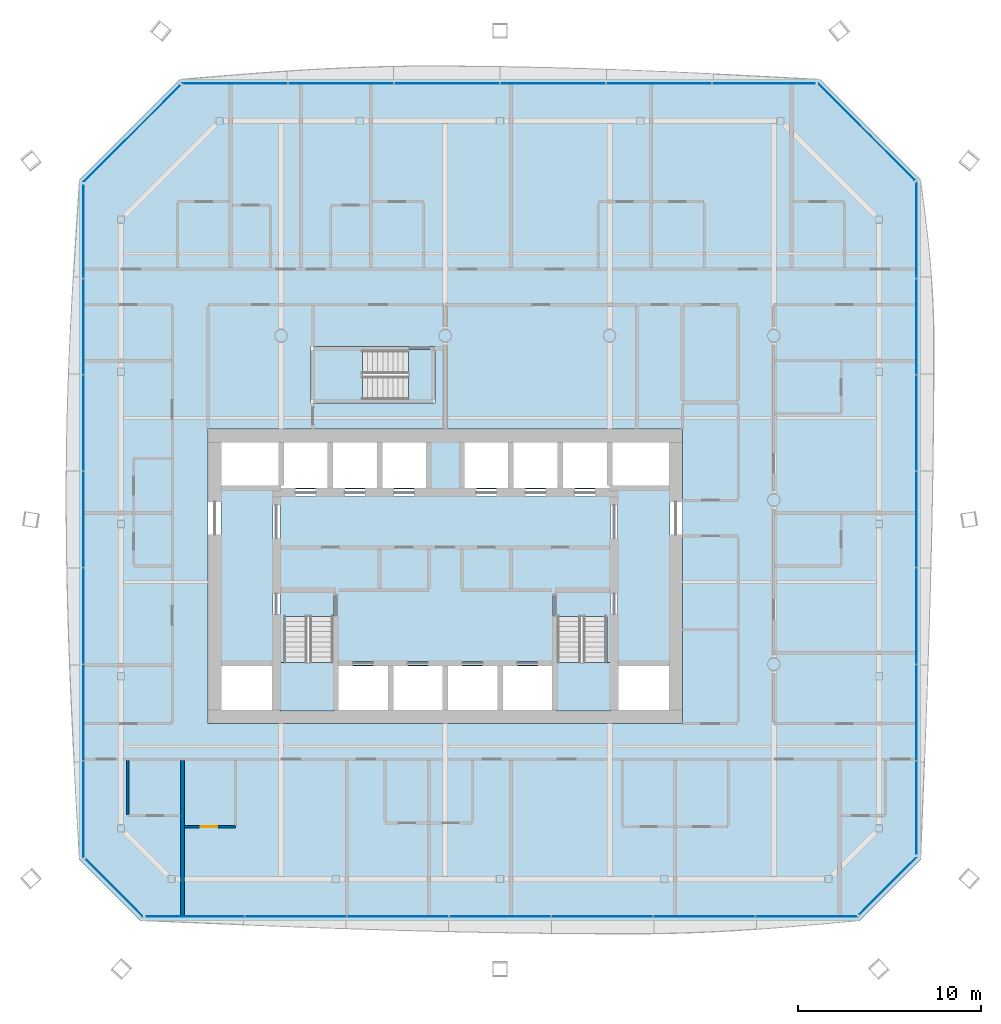
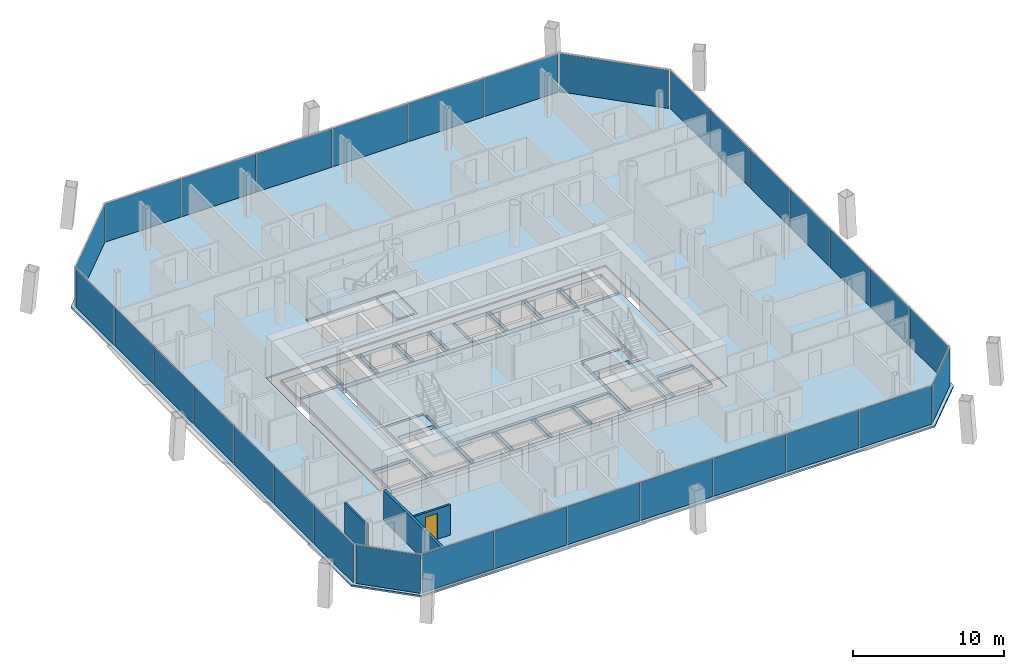
# One storey, part 11 of 21: 31 plates, 6 slabs, 3 walls, 1 door, 1 opening, 11 elements without a shape of their own.
"""IFC4 building model written with IfcOpenShell, lengths in metres."""

import ifcopenshell
import ifcopenshell.guid

model = None  # the IFC model being written
_history = None  # IfcOwnerHistory: only IFC2X3 demands one
_inside = {}  # id of a spatial element -> (the spatial element, [elements in it])
_under = {}  # id of a project, library or spatial element -> (it, [spatial elements below it])
_declared = {}  # id of a project -> (the project, [libraries it declares])
_typed = {}  # id of a type object -> (the type object, [elements of that type])
_made_of = {}  # id of a material, layer set ... -> (it, [elements and type objects made of it])


def new_model(schema):
    """Start an empty IFC model of exactly this schema.

    Asked for "IFC4X3", IfcOpenShell would pick the latest addendum, in which some entities
    have other attributes; the version numbers below select the first issue.
    IFC2X3 requires an IfcOwnerHistory on every rooted entity: one is made here for all.
    """
    global model, _history
    if schema == "IFC4X3":
        model = ifcopenshell.file(schema_version=(4, 3, 0, 0))
    else:
        model = ifcopenshell.file(schema=schema)
    _inside.clear()
    _under.clear()
    _declared.clear()
    _typed.clear()
    _made_of.clear()
    _history = None
    if model.schema == "IFC2X3":
        org = make("IfcOrganization", Name="unknown")
        user = make(
            "IfcPersonAndOrganization",
            ThePerson=make("IfcPerson", FamilyName="unknown"),
            TheOrganization=org,
        )
        app = make(
            "IfcApplication",
            ApplicationDeveloper=org,
            Version="unknown",
            ApplicationFullName="unknown",
            ApplicationIdentifier="unknown",
        )
        _history = make(
            "IfcOwnerHistory",
            OwningUser=user,
            OwningApplication=app,
            ChangeAction="ADDED",
            CreationDate=0,
        )
    return model


def make(cls, **values):
    """One entity of the class cls with the attributes given. An attribute that is None is left unset."""
    return model.create_entity(
        cls, **{name: value for name, value in values.items() if value is not None}
    )


def rooted(cls, **values):
    """An entity with a GlobalId (a new one), such as an element, a storey or a relation."""
    return make(cls, GlobalId=ifcopenshell.guid.new(), OwnerHistory=_history, **values)


def si_unit(unit_type, name, prefix=None):
    """IfcSIUnit, for example si_unit("LENGTHUNIT", "METRE", prefix="MILLI")."""
    return make("IfcSIUnit", UnitType=unit_type, Prefix=prefix, Name=name)


def assignment(units):
    """IfcUnitAssignment: the units of a project."""
    return None if units is None else make("IfcUnitAssignment", Units=units)


def point(xyz):
    """IfcCartesianPoint."""
    return None if xyz is None else make("IfcCartesianPoint", Coordinates=xyz)


def direction(xyz):
    """IfcDirection."""
    return None if xyz is None else make("IfcDirection", DirectionRatios=xyz)


def frame(location, z_axis=None, x_axis=None):
    """IfcAxis2Placement3D, a coordinate frame: its origin and axes. An axis left out is left unset."""
    return make(
        "IfcAxis2Placement3D",
        Location=point(location),
        Axis=direction(z_axis),
        RefDirection=direction(x_axis),
    )


def frame_2d(location, x_axis=None):
    """IfcAxis2Placement2D, a coordinate frame in the plane: its origin and x axis."""
    return make(
        "IfcAxis2Placement2D", Location=point(location), RefDirection=direction(x_axis)
    )


def origin():
    """The frame at (0, 0, 0) with its axes left unset."""
    return frame((0.0, 0.0, 0.0))


def origin_2d():
    """The frame at (0, 0) in the plane with its x axis left unset."""
    return frame_2d((0.0, 0.0))


def place(relative_to, where):
    """IfcLocalPlacement: puts the frame where relative to a parent placement (None: the world)."""
    return make(
        "IfcLocalPlacement", PlacementRelTo=relative_to, RelativePlacement=where
    )


def context(
    kind, dimensions, precision=None, world=None, true_north=None, identifier=None
):
    """IfcGeometricRepresentationContext, for example the 3D "Model" context."""
    return make(
        "IfcGeometricRepresentationContext",
        ContextIdentifier=identifier,
        ContextType=kind,
        CoordinateSpaceDimension=dimensions,
        Precision=precision,
        WorldCoordinateSystem=world,
        TrueNorth=true_north,
    )


def subcontext(parent, identifier, kind, view, scale=None):
    """IfcGeometricRepresentationSubContext, for example "Body" below "Model"."""
    return make(
        "IfcGeometricRepresentationSubContext",
        ContextIdentifier=identifier,
        ContextType=kind,
        ParentContext=parent,
        TargetScale=scale,
        TargetView=view,
    )


def project(units=None, contexts=None):
    """IfcProject with its units and contexts."""
    return rooted(
        "IfcProject",
        Name="project",
        RepresentationContexts=contexts,
        UnitsInContext=assignment(units),
    )


def spatial(cls, under=None, at=None, **own):
    """A site, building, storey or space (cls), placed at a placement, below another one or the project."""
    s = rooted(cls, ObjectPlacement=at, **own)
    if under is not None:
        _under.setdefault(under.id(), (under, []))[1].append(s)
    return s


def polyline(points):
    """IfcPolyline through the points."""
    return make("IfcPolyline", Points=[point(p) for p in points])


def profile(cls, at=None, kind="AREA", **sizes):
    """A parametric profile (cls). Its sizes go by their IFC names, for example OverallWidth=200.0."""
    return make(cls, ProfileType=kind, Position=at, **sizes)


def rectangle(**sizes):
    """IfcRectangleProfileDef."""
    return profile("IfcRectangleProfileDef", **sizes)


def outline(outer, holes=None, kind="AREA"):
    """IfcArbitraryClosedProfileDef: a profile drawn as a closed curve; with holes, ...WithVoids."""
    if holes is None:
        return make("IfcArbitraryClosedProfileDef", ProfileType=kind, OuterCurve=outer)
    return make(
        "IfcArbitraryProfileDefWithVoids",
        ProfileType=kind,
        OuterCurve=outer,
        InnerCurves=holes,
    )


def extrude(swept, where, along, depth):
    """IfcExtrudedAreaSolid: the profile swept, set in the frame where, extruded along a direction by depth."""
    return make(
        "IfcExtrudedAreaSolid",
        SweptArea=swept,
        Position=where,
        ExtrudedDirection=direction(along),
        Depth=depth,
    )


def shape(context_of_items, identifier, shape_type, items):
    """IfcShapeRepresentation: the items that make up one representation, for example the "Body"."""
    return make(
        "IfcShapeRepresentation",
        ContextOfItems=context_of_items,
        RepresentationIdentifier=identifier,
        RepresentationType=shape_type,
        Items=items,
    )


def material(Name=None, Category=None):
    """IfcMaterial."""
    return make("IfcMaterial", Name=Name, Category=Category)


def layer(
    of_material, thickness, ventilated=None, Name=None, Category=None, Priority=None
):
    """IfcMaterialLayer: one layer of a wall or slab, of a material (None: an air gap)."""
    return make(
        "IfcMaterialLayer",
        Material=of_material,
        LayerThickness=thickness,
        IsVentilated=ventilated,
        Name=Name,
        Category=Category,
        Priority=Priority,
    )


def layer_set(layers, Name=None):
    """IfcMaterialLayerSet."""
    return make("IfcMaterialLayerSet", MaterialLayers=layers, LayerSetName=Name)


def made_of(thing, what):
    """Note that an element or type object is made of a material, layer set ...; save() writes the relation."""
    if what is not None:
        _made_of.setdefault(what.id(), (what, []))[1].append(thing)
    return thing


def type_object(cls, material=None, **own):
    """A type object (cls), such as IfcWallType, which elements share."""
    return made_of(rooted(cls, **own), material)


def element(
    cls,
    number,
    at=None,
    inside=None,
    cuts=None,
    type_object=None,
    material=None,
    context=None,
    identifier="Body",
    shape_type=None,
    held_by="IfcProductDefinitionShape",
    body=None,
    shapes=None,
    **own,
):
    """One element of the class cls, such as IfcWall. Its Tag is "e" and its number.

    at: its placement. inside: the storey or other place that contains it. cuts: it is an
    opening in that element (IfcRelVoidsElement). A single representation is given by context,
    identifier, shape_type and body (its items); several are given by shapes. held_by: the class
    of the entity that holds the representations. save() writes the other relations.
    """
    e = rooted(cls, Tag="e%d" % number, ObjectPlacement=at, **own)
    if body is not None:
        shapes = [shape(context, identifier, shape_type, body)]
    if shapes is not None:
        e.Representation = make(held_by, Representations=shapes)
    if inside is not None:
        _inside.setdefault(inside.id(), (inside, []))[1].append(e)
    if cuts is not None:
        rooted(
            "IfcRelVoidsElement", RelatingBuildingElement=cuts, RelatedOpeningElement=e
        )
    if type_object is not None:
        _typed.setdefault(type_object.id(), (type_object, []))[1].append(e)
    return made_of(e, material)


def fill(opening, filler):
    """IfcRelFillsElement: the door or window that sits in an opening."""
    return rooted(
        "IfcRelFillsElement",
        RelatingOpeningElement=opening,
        RelatedBuildingElement=filler,
    )


def aggregate(whole, parts):
    """IfcRelAggregates: a whole, such as a stair, and the parts it consists of."""
    return rooted("IfcRelAggregates", RelatingObject=whole, RelatedObjects=parts)


def save(model, path):
    """Write the relations noted so far, then the file.

    IfcRelAggregates (storeys below a building ...), IfcRelContainedInSpatialStructure (elements
    in a storey), IfcRelDefinesByType, IfcRelAssociatesMaterial and IfcRelDeclares: one each for
    every whole, place, type object, material and project.
    """
    for whole, parts in _under.values():
        aggregate(whole, parts)
    for where, things in _inside.values():
        rooted(
            "IfcRelContainedInSpatialStructure",
            RelatedElements=things,
            RelatingStructure=where,
        )
    for kind, things in _typed.values():
        rooted("IfcRelDefinesByType", RelatedObjects=things, RelatingType=kind)
    for what, things in _made_of.values():
        rooted("IfcRelAssociatesMaterial", RelatedObjects=things, RelatingMaterial=what)
    for by, libraries in _declared.values():
        rooted("IfcRelDeclares", RelatingContext=by, RelatedDefinitions=libraries)
    model.write(path)


model = new_model("IFC4")

# Units and contexts
model_context = context("Model", 3, precision=1e-05, world=origin(), true_north=direction((0.0, 1.0)))
body_context = subcontext(model_context, "Body", "Model", "MODEL_VIEW")
ifc_project = project(units=[si_unit("LENGTHUNIT", "METRE"), si_unit("AREAUNIT", "SQUARE_METRE"), si_unit("VOLUMEUNIT", "CUBIC_METRE"), si_unit("PLANEANGLEUNIT", "RADIAN"), si_unit("MASSUNIT", "GRAM", prefix="KILO")], contexts=[model_context])

# Site, building, storey
site_placement = place(None, origin())
site = spatial("IfcSite", under=ifc_project, at=site_placement, CompositionType="ELEMENT")
building_placement = place(site_placement, origin())
building = spatial("IfcBuilding", under=site, at=building_placement, Name="Tskaro Facet Tower", CompositionType="ELEMENT")
storey_placement = place(building_placement, frame((0.0, 0.0, 135.10009765625)))
storey = spatial("IfcBuildingStorey", under=building, at=storey_placement, Name="L32", CompositionType="ELEMENT", Elevation=135.10009765625)

# Slab
ifc_material_1 = material(Name="Concrete C30/37", Category="concrete")
ifc_layer_1 = layer(ifc_material_1, 0.139892578125, Name="Concrete C30/37")
ifc_layer_set_1 = layer_set([ifc_layer_1], Name="Concrete C30/37")
slab_type_1 = type_object("IfcSlabType", Name="Composite deck floor slab", PredefinedType="FLOOR", material=ifc_layer_set_1)
slab_1_placement = place(storey_placement, frame((0.0, 0.0, -0.14013671875)))
element("IfcSlab", 1, at=slab_1_placement, inside=storey, type_object=slab_type_1, Name="Floor slab FS3 L32", PredefinedType="FLOOR", context=body_context, shape_type="SweptSolid", body=[
    extrude(outline(polyline([(-16.677978515625, -23.070068359375), (22.677978515625, -23.070068359375), (26.070068359375, -19.677978515625), (26.070068359375, 17.52587890625), (20.52587890625, 23.070068359375), (-14.52587890625, 23.070068359375), (-20.070068359375, 17.52587890625), (-20.070068359375, -19.677978515625), (-16.677978515625, -23.070068359375)]), holes=[polyline([(-13.0, -12.25), (13.0, -12.25), (13.0, 3.89990234375), (-13.0, 3.89990234375), (-13.0, -12.25)]), polyline([(-7.35009765625, 5.300048828125), (-0.550048828125, 5.300048828125), (-0.550048828125, 8.39990234375), (-7.35009765625, 8.39990234375), (-7.35009765625, 5.300048828125)])]), origin(), (0.0, 0.0, 1.0), 0.14013671875),
])

# Curtain wall, plates
ifc_material_2 = material(Name="Bronze anodised aluminium 6063-T6", Category="aluminium")
curtain_wall_type = type_object("IfcCurtainWallType", Name="Bronze hotel curtain wall (FW2)", PredefinedType="NOTDEFINED", material=ifc_material_2)
curtain_wall_1_placement = place(storey_placement, origin())
curtain_wall_1 = element("IfcCurtainWall", 2, at=curtain_wall_1_placement, inside=storey, type_object=curtain_wall_type, Name="FW2 south facet L32", PredefinedType="NOTDEFINED")
ifc_material_3 = material(Name="Bronze solar control glass", Category="glass")
ifc_layer_2 = layer(ifc_material_3, 0.030029296875, Name="Bronze solar control glass")
ifc_layer_set_2 = layer_set([ifc_layer_2], Name="Bronze solar control glass")
plate_type = type_object("IfcPlateType", Name="FW2 bronze-tinted unit glazing 30", PredefinedType="CURTAIN_PANEL", material=ifc_layer_set_2)
plate_1_placement = place(storey_placement, frame((-13.7177734375, -22.820068359375, -0.000244140625), z_axis=(0.0, 0.0, 1.0), x_axis=(1.0, 0.0, 0.0)))
plate_1 = element("IfcPlate", 3, at=plate_1_placement, type_object=plate_type, Name="FW2 south glazing 1.1", PredefinedType="CURTAIN_PANEL", context=body_context, shape_type="SweptSolid", body=[
    extrude(rectangle(XDim=5.41259765625, YDim=0.030029296875, at=origin_2d()), origin(), (0.0, 0.0, 1.0), 3.10009765625),
])
plate_2_placement = place(storey_placement, frame((-8.18505859375, -22.820068359375, -0.000244140625), z_axis=(0.0, 0.0, 1.0), x_axis=(1.0, 0.0, 0.0)))
plate_2 = element("IfcPlate", 4, at=plate_2_placement, type_object=plate_type, Name="FW2 south glazing 2.1", PredefinedType="CURTAIN_PANEL", context=body_context, shape_type="SweptSolid", body=[
    extrude(rectangle(XDim=5.532470703125, YDim=0.030029296875, at=origin_2d()), origin(), (0.0, 0.0, 1.0), 3.10009765625),
])
plate_3_placement = place(storey_placement, frame((-2.592529296875, -22.820068359375, -0.000244140625), z_axis=(0.0, 0.0, 1.0), x_axis=(1.0, 0.0, 0.0)))
plate_3 = element("IfcPlate", 5, at=plate_3_placement, type_object=plate_type, Name="FW2 south glazing 3.1", PredefinedType="CURTAIN_PANEL", context=body_context, shape_type="SweptSolid", body=[
    extrude(rectangle(XDim=5.532470703125, YDim=0.030029296875, at=origin_2d()), origin(), (0.0, 0.0, 1.0), 3.10009765625),
])
plate_4_placement = place(storey_placement, frame((3.0, -22.820068359375, -0.000244140625), z_axis=(0.0, 0.0, 1.0), x_axis=(1.0, 0.0, 0.0)))
plate_4 = element("IfcPlate", 6, at=plate_4_placement, type_object=plate_type, Name="FW2 south glazing 4.1", PredefinedType="CURTAIN_PANEL", context=body_context, shape_type="SweptSolid", body=[
    extrude(rectangle(XDim=5.532470703125, YDim=0.030029296875, at=origin_2d()), origin(), (0.0, 0.0, 1.0), 3.10009765625),
])
plate_5_placement = place(storey_placement, frame((8.592529296875, -22.820068359375, -0.000244140625), z_axis=(0.0, 0.0, 1.0), x_axis=(1.0, 0.0, 0.0)))
plate_5 = element("IfcPlate", 7, at=plate_5_placement, type_object=plate_type, Name="FW2 south glazing 5.1", PredefinedType="CURTAIN_PANEL", context=body_context, shape_type="SweptSolid", body=[
    extrude(rectangle(XDim=5.532470703125, YDim=0.030029296875, at=origin_2d()), origin(), (0.0, 0.0, 1.0), 3.10009765625),
])
plate_6_placement = place(storey_placement, frame((14.18505859375, -22.820068359375, -0.000244140625), z_axis=(0.0, 0.0, 1.0), x_axis=(1.0, 0.0, 0.0)))
plate_6 = element("IfcPlate", 8, at=plate_6_placement, type_object=plate_type, Name="FW2 south glazing 6.1", PredefinedType="CURTAIN_PANEL", context=body_context, shape_type="SweptSolid", body=[
    extrude(rectangle(XDim=5.532470703125, YDim=0.030029296875, at=origin_2d()), origin(), (0.0, 0.0, 1.0), 3.10009765625),
])
plate_7_placement = place(storey_placement, frame((19.792724609375, -22.820068359375, -0.000244140625), z_axis=(0.0, 0.0, 1.0), x_axis=(1.0, 0.0, 0.0)))
plate_7 = element("IfcPlate", 9, at=plate_7_placement, type_object=plate_type, Name="FW2 south glazing 7.1", PredefinedType="CURTAIN_PANEL", context=body_context, shape_type="SweptSolid", body=[
    extrude(rectangle(XDim=5.5625, YDim=0.030029296875, at=origin_2d()), origin(), (0.0, 0.0, 1.0), 3.10009765625),
])
aggregate(curtain_wall_1, [plate_1, plate_2, plate_3, plate_4, plate_5, plate_6, plate_7])

# Curtain wall, plate
curtain_wall_2_placement = place(storey_placement, origin())
curtain_wall_2 = element("IfcCurtainWall", 10, at=curtain_wall_2_placement, inside=storey, type_object=curtain_wall_type, Name="FW2 south-east facet L32", PredefinedType="NOTDEFINED")
plate_8_placement = place(storey_placement, frame((24.25, -21.14404296875, -0.000244140625), z_axis=(0.0, 0.0, 1.0), x_axis=(0.707106781187, 0.707106781187, 0.0)))
plate_8 = element("IfcPlate", 11, at=plate_8_placement, type_object=plate_type, Name="FW2 south-east glazing 1.1", PredefinedType="CURTAIN_PANEL", context=body_context, shape_type="SweptSolid", body=[
    extrude(rectangle(XDim=4.4404296875, YDim=0.030029296875, at=origin_2d()), origin(), (0.0, 0.0, 1.0), 3.10009765625),
])
aggregate(curtain_wall_2, [plate_8])

# Curtain wall, plates
curtain_wall_3_placement = place(storey_placement, origin())
curtain_wall_3 = element("IfcCurtainWall", 12, at=curtain_wall_3_placement, inside=storey, type_object=curtain_wall_type, Name="FW2 east facet L32", PredefinedType="NOTDEFINED")
plate_9_placement = place(storey_placement, frame((25.820068359375, -16.871337890625, -0.000244140625), z_axis=(0.0, 0.0, 1.0), x_axis=(0.0, 1.0, 0.0)))
plate_9 = element("IfcPlate", 13, at=plate_9_placement, type_object=plate_type, Name="FW2 east glazing 1.1", PredefinedType="CURTAIN_PANEL", context=body_context, shape_type="SweptSolid", body=[
    extrude(rectangle(XDim=5.105224609375, YDim=0.030029296875, at=origin_2d()), origin(), (0.0, 0.0, 1.0), 3.10009765625),
])
plate_10_placement = place(storey_placement, frame((25.820068359375, -11.646240234375, -0.000244140625), z_axis=(0.0, 0.0, 1.0), x_axis=(0.0, 1.0, 0.0)))
plate_10 = element("IfcPlate", 14, at=plate_10_placement, type_object=plate_type, Name="FW2 east glazing 2.1", PredefinedType="CURTAIN_PANEL", context=body_context, shape_type="SweptSolid", body=[
    extrude(rectangle(XDim=5.22509765625, YDim=0.030029296875, at=origin_2d()), origin(), (0.0, 0.0, 1.0), 3.10009765625),
])
plate_11_placement = place(storey_placement, frame((25.820068359375, -6.361083984375, -0.000244140625), z_axis=(0.0, 0.0, 1.0), x_axis=(0.0, 1.0, 0.0)))
plate_11 = element("IfcPlate", 15, at=plate_11_placement, type_object=plate_type, Name="FW2 east glazing 3.1", PredefinedType="CURTAIN_PANEL", context=body_context, shape_type="SweptSolid", body=[
    extrude(rectangle(XDim=5.22509765625, YDim=0.030029296875, at=origin_2d()), origin(), (0.0, 0.0, 1.0), 3.10009765625),
])
plate_12_placement = place(storey_placement, frame((25.820068359375, -1.075927734375, -0.000244140625), z_axis=(0.0, 0.0, 1.0), x_axis=(0.0, 1.0, 0.0)))
plate_12 = element("IfcPlate", 16, at=plate_12_placement, type_object=plate_type, Name="FW2 east glazing 4.1", PredefinedType="CURTAIN_PANEL", context=body_context, shape_type="SweptSolid", body=[
    extrude(rectangle(XDim=5.22509765625, YDim=0.030029296875, at=origin_2d()), origin(), (0.0, 0.0, 1.0), 3.10009765625),
])
plate_13_placement = place(storey_placement, frame((25.820068359375, 4.209228515625, -0.000244140625), z_axis=(0.0, 0.0, 1.0), x_axis=(0.0, 1.0, 0.0)))
plate_13 = element("IfcPlate", 17, at=plate_13_placement, type_object=plate_type, Name="FW2 east glazing 5.1", PredefinedType="CURTAIN_PANEL", context=body_context, shape_type="SweptSolid", body=[
    extrude(rectangle(XDim=5.22509765625, YDim=0.030029296875, at=origin_2d()), origin(), (0.0, 0.0, 1.0), 3.10009765625),
])
plate_14_placement = place(storey_placement, frame((25.820068359375, 9.494384765625, -0.000244140625), z_axis=(0.0, 0.0, 1.0), x_axis=(0.0, 1.0, 0.0)))
plate_14 = element("IfcPlate", 18, at=plate_14_placement, type_object=plate_type, Name="FW2 east glazing 6.1", PredefinedType="CURTAIN_PANEL", context=body_context, shape_type="SweptSolid", body=[
    extrude(rectangle(XDim=5.22509765625, YDim=0.030029296875, at=origin_2d()), origin(), (0.0, 0.0, 1.0), 3.10009765625),
])
plate_15_placement = place(storey_placement, frame((25.820068359375, 14.79443359375, -0.000244140625), z_axis=(0.0, 0.0, 1.0), x_axis=(0.0, 1.0, 0.0)))
plate_15 = element("IfcPlate", 19, at=plate_15_placement, type_object=plate_type, Name="FW2 east glazing 7.1", PredefinedType="CURTAIN_PANEL", context=body_context, shape_type="SweptSolid", body=[
    extrude(rectangle(XDim=5.255126953125, YDim=0.030029296875, at=origin_2d()), origin(), (0.0, 0.0, 1.0), 3.10009765625),
])
aggregate(curtain_wall_3, [plate_9, plate_10, plate_11, plate_12, plate_13, plate_14, plate_15])

# Curtain wall, plate
curtain_wall_4_placement = place(storey_placement, origin())
curtain_wall_4 = element("IfcCurtainWall", 20, at=curtain_wall_4_placement, inside=storey, type_object=curtain_wall_type, Name="FW2 north-east facet L32", PredefinedType="NOTDEFINED")
plate_16_placement = place(storey_placement, frame((23.06787109375, 20.174072265625, -0.000244140625), z_axis=(0.0, 0.0, 1.0), x_axis=(-0.707106781187, 0.707106781187, 0.0)))
plate_16 = element("IfcPlate", 21, at=plate_16_placement, type_object=plate_type, Name="FW2 north-east glazing 1.1", PredefinedType="CURTAIN_PANEL", context=body_context, shape_type="SweptSolid", body=[
    extrude(rectangle(XDim=7.48388671875, YDim=0.030029296875, at=origin_2d()), origin(), (0.0, 0.0, 1.0), 3.10009765625),
])
aggregate(curtain_wall_4, [plate_16])

# Curtain wall, plates
curtain_wall_5_placement = place(storey_placement, origin())
curtain_wall_5 = element("IfcCurtainWall", 22, at=curtain_wall_5_placement, inside=storey, type_object=curtain_wall_type, Name="FW2 north facet L32", PredefinedType="NOTDEFINED")
plate_17_placement = place(storey_placement, frame((17.458251953125, 22.820068359375, -0.000244140625), z_axis=(0.0, 0.0, 1.0), x_axis=(-1.0, 0.0, 0.0)))
plate_17 = element("IfcPlate", 23, at=plate_17_placement, type_object=plate_type, Name="FW2 north glazing 1.1", PredefinedType="CURTAIN_PANEL", context=body_context, shape_type="SweptSolid", body=[
    extrude(rectangle(XDim=5.62744140625, YDim=0.030029296875, at=origin_2d()), origin(), (0.0, 0.0, 1.0), 3.10009765625),
])
plate_18_placement = place(storey_placement, frame((11.7109375, 22.820068359375, -0.000244140625), z_axis=(0.0, 0.0, 1.0), x_axis=(-1.0, 0.0, 0.0)))
plate_18 = element("IfcPlate", 24, at=plate_18_placement, type_object=plate_type, Name="FW2 north glazing 2.1", PredefinedType="CURTAIN_PANEL", context=body_context, shape_type="SweptSolid", body=[
    extrude(rectangle(XDim=5.747314453125, YDim=0.030029296875, at=origin_2d()), origin(), (0.0, 0.0, 1.0), 3.10009765625),
])
plate_19_placement = place(storey_placement, frame((5.903564453125, 22.820068359375, -0.000244140625), z_axis=(0.0, 0.0, 1.0), x_axis=(-1.0, 0.0, 0.0)))
plate_19 = element("IfcPlate", 25, at=plate_19_placement, type_object=plate_type, Name="FW2 north glazing 3.1", PredefinedType="CURTAIN_PANEL", context=body_context, shape_type="SweptSolid", body=[
    extrude(rectangle(XDim=5.747314453125, YDim=0.030029296875, at=origin_2d()), origin(), (0.0, 0.0, 1.0), 3.10009765625),
])
plate_20_placement = place(storey_placement, frame((0.096435546875, 22.820068359375, -0.000244140625), z_axis=(0.0, 0.0, 1.0), x_axis=(-1.0, 0.0, 0.0)))
plate_20 = element("IfcPlate", 26, at=plate_20_placement, type_object=plate_type, Name="FW2 north glazing 4.1", PredefinedType="CURTAIN_PANEL", context=body_context, shape_type="SweptSolid", body=[
    extrude(rectangle(XDim=5.747314453125, YDim=0.030029296875, at=origin_2d()), origin(), (0.0, 0.0, 1.0), 3.10009765625),
])
plate_21_placement = place(storey_placement, frame((-5.7109375, 22.820068359375, -0.000244140625), z_axis=(0.0, 0.0, 1.0), x_axis=(-1.0, 0.0, 0.0)))
plate_21 = element("IfcPlate", 27, at=plate_21_placement, type_object=plate_type, Name="FW2 north glazing 5.1", PredefinedType="CURTAIN_PANEL", context=body_context, shape_type="SweptSolid", body=[
    extrude(rectangle(XDim=5.747314453125, YDim=0.030029296875, at=origin_2d()), origin(), (0.0, 0.0, 1.0), 3.10009765625),
])
plate_22_placement = place(storey_placement, frame((-11.533447265625, 22.820068359375, -0.000244140625), z_axis=(0.0, 0.0, 1.0), x_axis=(-1.0, 0.0, 0.0)))
plate_22 = element("IfcPlate", 28, at=plate_22_placement, type_object=plate_type, Name="FW2 north glazing 6.1", PredefinedType="CURTAIN_PANEL", context=body_context, shape_type="SweptSolid", body=[
    extrude(rectangle(XDim=5.77734375, YDim=0.030029296875, at=origin_2d()), origin(), (0.0, 0.0, 1.0), 3.10009765625),
])
aggregate(curtain_wall_5, [plate_17, plate_18, plate_19, plate_20, plate_21, plate_22])

# Curtain wall, plate
curtain_wall_6_placement = place(storey_placement, origin())
curtain_wall_6 = element("IfcCurtainWall", 29, at=curtain_wall_6_placement, inside=storey, type_object=curtain_wall_type, Name="FW2 north-west facet L32", PredefinedType="NOTDEFINED")
plate_23_placement = place(storey_placement, frame((-17.174072265625, 20.06787109375, -0.000244140625), z_axis=(0.0, 0.0, 1.0), x_axis=(-0.707106781187, -0.707106781187, 0.0)))
plate_23 = element("IfcPlate", 30, at=plate_23_placement, type_object=plate_type, Name="FW2 north-west glazing 1.1", PredefinedType="CURTAIN_PANEL", context=body_context, shape_type="SweptSolid", body=[
    extrude(rectangle(XDim=7.48388671875, YDim=0.030029296875, at=origin_2d()), origin(), (0.0, 0.0, 1.0), 3.10009765625),
])
aggregate(curtain_wall_6, [plate_23])

# Curtain wall, plates
curtain_wall_7_placement = place(storey_placement, origin())
curtain_wall_7 = element("IfcCurtainWall", 31, at=curtain_wall_7_placement, inside=storey, type_object=curtain_wall_type, Name="FW2 west facet L32", PredefinedType="NOTDEFINED")
plate_24_placement = place(storey_placement, frame((-19.820068359375, 14.719482421875, -0.000244140625), z_axis=(0.0, 0.0, 1.0), x_axis=(0.0, -1.0, 0.0)))
plate_24 = element("IfcPlate", 32, at=plate_24_placement, type_object=plate_type, Name="FW2 west glazing 1.1", PredefinedType="CURTAIN_PANEL", context=body_context, shape_type="SweptSolid", body=[
    extrude(rectangle(XDim=5.105224609375, YDim=0.030029296875, at=origin_2d()), origin(), (0.0, 0.0, 1.0), 3.10009765625),
])
plate_25_placement = place(storey_placement, frame((-19.820068359375, 9.494384765625, -0.000244140625), z_axis=(0.0, 0.0, 1.0), x_axis=(0.0, -1.0, 0.0)))
plate_25 = element("IfcPlate", 33, at=plate_25_placement, type_object=plate_type, Name="FW2 west glazing 2.1", PredefinedType="CURTAIN_PANEL", context=body_context, shape_type="SweptSolid", body=[
    extrude(rectangle(XDim=5.22509765625, YDim=0.030029296875, at=origin_2d()), origin(), (0.0, 0.0, 1.0), 3.10009765625),
])
plate_26_placement = place(storey_placement, frame((-19.820068359375, 4.209228515625, -0.000244140625), z_axis=(0.0, 0.0, 1.0), x_axis=(0.0, -1.0, 0.0)))
plate_26 = element("IfcPlate", 34, at=plate_26_placement, type_object=plate_type, Name="FW2 west glazing 3.1", PredefinedType="CURTAIN_PANEL", context=body_context, shape_type="SweptSolid", body=[
    extrude(rectangle(XDim=5.22509765625, YDim=0.030029296875, at=origin_2d()), origin(), (0.0, 0.0, 1.0), 3.10009765625),
])
plate_27_placement = place(storey_placement, frame((-19.820068359375, -1.075927734375, -0.000244140625), z_axis=(0.0, 0.0, 1.0), x_axis=(0.0, -1.0, 0.0)))
plate_27 = element("IfcPlate", 35, at=plate_27_placement, type_object=plate_type, Name="FW2 west glazing 4.1", PredefinedType="CURTAIN_PANEL", context=body_context, shape_type="SweptSolid", body=[
    extrude(rectangle(XDim=5.22509765625, YDim=0.030029296875, at=origin_2d()), origin(), (0.0, 0.0, 1.0), 3.10009765625),
])
plate_28_placement = place(storey_placement, frame((-19.820068359375, -6.361083984375, -0.000244140625), z_axis=(0.0, 0.0, 1.0), x_axis=(0.0, -1.0, 0.0)))
plate_28 = element("IfcPlate", 36, at=plate_28_placement, type_object=plate_type, Name="FW2 west glazing 5.1", PredefinedType="CURTAIN_PANEL", context=body_context, shape_type="SweptSolid", body=[
    extrude(rectangle(XDim=5.22509765625, YDim=0.030029296875, at=origin_2d()), origin(), (0.0, 0.0, 1.0), 3.10009765625),
])
plate_29_placement = place(storey_placement, frame((-19.820068359375, -11.646240234375, -0.000244140625), z_axis=(0.0, 0.0, 1.0), x_axis=(0.0, -1.0, 0.0)))
plate_29 = element("IfcPlate", 37, at=plate_29_placement, type_object=plate_type, Name="FW2 west glazing 6.1", PredefinedType="CURTAIN_PANEL", context=body_context, shape_type="SweptSolid", body=[
    extrude(rectangle(XDim=5.22509765625, YDim=0.030029296875, at=origin_2d()), origin(), (0.0, 0.0, 1.0), 3.10009765625),
])
plate_30_placement = place(storey_placement, frame((-19.820068359375, -16.946533203125, -0.000244140625), z_axis=(0.0, 0.0, 1.0), x_axis=(0.0, -1.0, 0.0)))
plate_30 = element("IfcPlate", 38, at=plate_30_placement, type_object=plate_type, Name="FW2 west glazing 7.1", PredefinedType="CURTAIN_PANEL", context=body_context, shape_type="SweptSolid", body=[
    extrude(rectangle(XDim=5.255126953125, YDim=0.030029296875, at=origin_2d()), origin(), (0.0, 0.0, 1.0), 3.10009765625),
])
aggregate(curtain_wall_7, [plate_24, plate_25, plate_26, plate_27, plate_28, plate_29, plate_30])

# Curtain wall, plate
curtain_wall_8_placement = place(storey_placement, origin())
curtain_wall_8 = element("IfcCurtainWall", 39, at=curtain_wall_8_placement, inside=storey, type_object=curtain_wall_type, Name="FW2 south-west facet L32", PredefinedType="NOTDEFINED")
plate_31_placement = place(storey_placement, frame((-18.14404296875, -21.25, -0.000244140625), z_axis=(0.0, 0.0, 1.0), x_axis=(0.707106781187, -0.707106781187, 0.0)))
plate_31 = element("IfcPlate", 40, at=plate_31_placement, type_object=plate_type, Name="FW2 south-west glazing 1.1", PredefinedType="CURTAIN_PANEL", context=body_context, shape_type="SweptSolid", body=[
    extrude(rectangle(XDim=4.4404296875, YDim=0.030029296875, at=origin_2d()), origin(), (0.0, 0.0, 1.0), 3.10009765625),
])
aggregate(curtain_wall_8, [plate_31])

# Stair, slab
ifc_material_4 = material(Name="Concrete C40/50", Category="concrete")
stair_type = type_object("IfcStairType", Name="ST-TWR", PredefinedType="HALF_TURN_STAIR", material=ifc_material_4)
stair_1_placement = place(storey_placement, origin())
stair_1 = element("IfcStair", 41, at=stair_1_placement, inside=storey, type_object=stair_type, Name="L32 Exit stair 1", PredefinedType="HALF_TURN_STAIR")
ifc_layer_3 = layer(ifc_material_4, 0.199951171875, Name="Concrete C40/50")
ifc_layer_set_3 = layer_set([ifc_layer_3], Name="Concrete C40/50")
slab_type_2 = type_object("IfcSlabType", Name="SL-LANDING", PredefinedType="LANDING", material=ifc_layer_set_3)
slab_2_placement = place(storey_placement, frame((0.0, 0.0, 1.5)))
slab_2 = element("IfcSlab", 42, at=slab_2_placement, type_object=slab_type_2, Name="ST-1 landing 1", PredefinedType="LANDING", context=body_context, shape_type="SweptSolid", body=[
    extrude(outline(polyline([(-9.050048828125, -11.550048828125), (-6.10009765625, -11.550048828125), (-6.10009765625, -8.89501953125), (-9.050048828125, -8.89501953125), (-9.050048828125, -11.550048828125)])), origin(), (0.0, 0.0, 1.0), 0.199951171875),
])
aggregate(stair_1, [slab_2])

stair_2_placement = place(storey_placement, origin())
stair_2 = element("IfcStair", 43, at=stair_2_placement, inside=storey, type_object=stair_type, Name="L32 Exit stair 2", PredefinedType="HALF_TURN_STAIR")
slab_3_placement = place(storey_placement, frame((0.0, 0.0, 1.5)))
slab_3 = element("IfcSlab", 44, at=slab_3_placement, type_object=slab_type_2, Name="ST-2 landing 1", PredefinedType="LANDING", context=body_context, shape_type="SweptSolid", body=[
    extrude(outline(polyline([(6.10009765625, -11.550048828125), (9.050048828125, -11.550048828125), (9.050048828125, -8.89501953125), (6.10009765625, -8.89501953125), (6.10009765625, -11.550048828125)])), origin(), (0.0, 0.0, 1.0), 0.199951171875),
])
aggregate(stair_2, [slab_3])

stair_3_placement = place(storey_placement, origin())
stair_3 = element("IfcStair", 45, at=stair_3_placement, inside=storey, type_object=stair_type, Name="L32 Exit stair 3", PredefinedType="HALF_TURN_STAIR")
slab_4_placement = place(storey_placement, frame((0.0, 0.0, 1.5)))
slab_4 = element("IfcSlab", 46, at=slab_4_placement, type_object=slab_type_2, Name="ST-3 landing 1", PredefinedType="LANDING", context=body_context, shape_type="SweptSolid", body=[
    extrude(outline(polyline([(-7.199951171875, 5.449951171875), (-4.544921875, 5.449951171875), (-4.544921875, 8.25), (-7.199951171875, 8.25), (-7.199951171875, 5.449951171875)])), origin(), (0.0, 0.0, 1.0), 0.199951171875),
])
aggregate(stair_3, [slab_4])

# Slabs
ifc_material_5 = material(Name="Concrete C60/75", Category="concrete")
ifc_layer_4 = layer(ifc_material_5, 0.300048828125, Name="Concrete C60/75")
ifc_layer_set_4 = layer_set([ifc_layer_4], Name="Concrete C60/75")
slab_type_3 = type_object("IfcSlabType", Name="SLAB-CORE", PredefinedType="FLOOR", material=ifc_layer_set_4)
slab_5_placement = place(storey_placement, frame((0.0, 0.0, -0.300048828125)))
element("IfcSlab", 47, at=slab_5_placement, inside=storey, type_object=slab_type_3, Name="Core floor slab 1", PredefinedType="FLOOR", context=body_context, shape_type="SweptSolid", body=[
    extrude(outline(polyline([(-12.300048828125, 3.199951171875), (12.300048828125, 3.199951171875), (12.300048828125, 3.10009765625), (12.300048828125, -11.449951171875), (12.300048828125, -11.550048828125), (-12.300048828125, -11.550048828125), (-12.300048828125, -11.449951171875), (-12.300048828125, 3.10009765625), (-12.300048828125, 3.199951171875)]), holes=[polyline([(-9.5, -9.10009765625), (-12.25, -9.10009765625), (-12.25, -11.5), (-9.5, -11.5), (-9.5, -9.10009765625)]), polyline([(-5.85009765625, -9.10009765625), (-5.85009765625, -11.5), (-3.14990234375, -11.5), (-3.14990234375, -9.10009765625), (-5.85009765625, -9.10009765625)]), polyline([(-12.199951171875, -9.050048828125), (-9.550048828125, -9.050048828125), (-9.550048828125, -8.85009765625), (-12.199951171875, -8.85009765625), (-12.199951171875, -9.050048828125)]), polyline([(-6.10009765625, -5.14990234375), (-6.10009765625, -11.449951171875), (-5.89990234375, -11.449951171875), (-5.89990234375, -5.14990234375), (-6.10009765625, -5.14990234375)]), polyline([(-9.449951171875, 0.10009765625), (-9.449951171875, -11.449951171875), (-9.050048828125, -11.449951171875), (-9.050048828125, 0.10009765625), (-9.449951171875, 0.10009765625)]), polyline([(-8.949951171875, -5.050048828125), (-6.050048828125, -5.050048828125), (-6.050048828125, -4.85009765625), (-8.949951171875, -4.85009765625), (-8.949951171875, -5.050048828125)]), polyline([(9.449951171875, 0.199951171875), (9.449951171875, 0.550048828125), (12.199951171875, 0.550048828125), (12.199951171875, 0.75), (9.050048828125, 0.75), (9.050048828125, 0.60009765625), (-9.050048828125, 0.60009765625), (-9.050048828125, 0.75), (-12.199951171875, 0.75), (-12.199951171875, 0.550048828125), (-9.449951171875, 0.550048828125), (-9.449951171875, 0.199951171875), (9.449951171875, 0.199951171875)]), polyline([(-8.85009765625, 0.800048828125), (-9.0, 0.800048828125), (-9.0, 0.64990234375), (-6.449951171875, 0.64990234375), (-6.449951171875, 3.14990234375), (-8.85009765625, 3.14990234375), (-8.85009765625, 0.800048828125)]), polyline([(-6.14990234375, 0.64990234375), (-3.75, 0.64990234375), (-3.75, 3.14990234375), (-6.14990234375, 3.14990234375), (-6.14990234375, 0.64990234375)]), polyline([(-6.39990234375, 3.10009765625), (-6.39990234375, 0.699951171875), (-6.199951171875, 0.699951171875), (-6.199951171875, 3.10009765625), (-6.39990234375, 3.10009765625)]), polyline([(-9.14990234375, 3.14990234375), (-12.25, 3.14990234375), (-12.25, 0.800048828125), (-9.14990234375, 0.800048828125), (-9.14990234375, 3.14990234375)]), polyline([(-9.10009765625, 0.85009765625), (-8.89990234375, 0.85009765625), (-8.89990234375, 3.10009765625), (-9.10009765625, 3.10009765625), (-9.10009765625, 0.85009765625)]), polyline([(-3.10009765625, -11.449951171875), (-2.89990234375, -11.449951171875), (-2.89990234375, -9.14990234375), (-3.10009765625, -9.14990234375), (-3.10009765625, -11.449951171875)]), polyline([(-0.14990234375, -9.10009765625), (-2.85009765625, -9.10009765625), (-2.85009765625, -11.5), (-0.14990234375, -11.5), (-0.14990234375, -9.10009765625)]), polyline([(-0.10009765625, -9.14990234375), (-0.10009765625, -11.449951171875), (0.10009765625, -11.449951171875), (0.10009765625, -9.14990234375), (-0.10009765625, -9.14990234375)]), polyline([(0.14990234375, -9.10009765625), (0.14990234375, -11.5), (2.85009765625, -11.5), (2.85009765625, -9.10009765625), (0.14990234375, -9.10009765625)]), polyline([(-5.800048828125, -8.85009765625), (-5.800048828125, -9.050048828125), (5.800048828125, -9.050048828125), (5.800048828125, -8.85009765625), (-5.800048828125, -8.85009765625)]), polyline([(-1.050048828125, 0.64990234375), (-1.050048828125, 3.14990234375), (-3.449951171875, 3.14990234375), (-3.449951171875, 0.64990234375), (-1.050048828125, 0.64990234375)]), polyline([(3.449951171875, 0.64990234375), (3.449951171875, 3.14990234375), (1.050048828125, 3.14990234375), (1.050048828125, 0.64990234375), (3.449951171875, 0.64990234375)]), polyline([(-3.699951171875, 0.699951171875), (-3.5, 0.699951171875), (-3.5, 3.10009765625), (-3.699951171875, 3.10009765625), (-3.699951171875, 0.699951171875)]), polyline([(-1.0, 3.10009765625), (-1.0, 0.699951171875), (-0.800048828125, 0.699951171875), (-0.800048828125, 3.10009765625), (-1.0, 3.10009765625)]), polyline([(0.800048828125, 3.10009765625), (0.800048828125, 0.699951171875), (1.0, 0.699951171875), (1.0, 3.10009765625), (0.800048828125, 3.10009765625)]), polyline([(2.89990234375, -11.449951171875), (3.10009765625, -11.449951171875), (3.10009765625, -9.14990234375), (2.89990234375, -9.14990234375), (2.89990234375, -11.449951171875)]), polyline([(5.85009765625, -9.10009765625), (3.14990234375, -9.10009765625), (3.14990234375, -11.5), (5.85009765625, -11.5), (5.85009765625, -9.10009765625)]), polyline([(12.25, -11.5), (12.25, -9.10009765625), (9.5, -9.10009765625), (9.5, -11.5), (12.25, -11.5)]), polyline([(9.550048828125, -9.050048828125), (12.199951171875, -9.050048828125), (12.199951171875, -8.85009765625), (9.550048828125, -8.85009765625), (9.550048828125, -9.050048828125)]), polyline([(5.89990234375, -5.14990234375), (5.89990234375, -11.449951171875), (6.10009765625, -11.449951171875), (6.10009765625, -5.14990234375), (5.89990234375, -5.14990234375)]), polyline([(9.050048828125, 0.10009765625), (9.050048828125, -11.449951171875), (9.449951171875, -11.449951171875), (9.449951171875, 0.10009765625), (9.050048828125, 0.10009765625)]), polyline([(6.050048828125, -5.050048828125), (8.949951171875, -5.050048828125), (8.949951171875, -4.85009765625), (6.050048828125, -4.85009765625), (6.050048828125, -5.050048828125)]), polyline([(6.14990234375, 0.64990234375), (6.14990234375, 3.14990234375), (3.75, 3.14990234375), (3.75, 0.64990234375), (6.14990234375, 0.64990234375)]), polyline([(9.0, 0.800048828125), (8.85009765625, 0.800048828125), (8.85009765625, 3.14990234375), (6.449951171875, 3.14990234375), (6.449951171875, 0.64990234375), (9.0, 0.64990234375), (9.0, 0.800048828125)]), polyline([(3.5, 3.10009765625), (3.5, 0.699951171875), (3.699951171875, 0.699951171875), (3.699951171875, 3.10009765625), (3.5, 3.10009765625)]), polyline([(6.199951171875, 0.699951171875), (6.39990234375, 0.699951171875), (6.39990234375, 3.10009765625), (6.199951171875, 3.10009765625), (6.199951171875, 0.699951171875)]), polyline([(8.89990234375, 3.10009765625), (8.89990234375, 0.85009765625), (9.10009765625, 0.85009765625), (9.10009765625, 3.10009765625), (8.89990234375, 3.10009765625)]), polyline([(9.14990234375, 0.800048828125), (12.25, 0.800048828125), (12.25, 3.14990234375), (9.14990234375, 3.14990234375), (9.14990234375, 0.800048828125)]), polyline([(-8.85009765625, -11.5), (-6.14990234375, -11.5), (-6.14990234375, -6.39501953125), (-8.85009765625, -6.39501953125), (-8.85009765625, -11.5)]), polyline([(6.14990234375, -6.39501953125), (6.14990234375, -11.5), (8.85009765625, -11.5), (8.85009765625, -6.39501953125), (6.14990234375, -6.39501953125)])]), origin(), (0.0, 0.0, 1.0), 0.300048828125),
])
slab_6_placement = place(storey_placement, frame((0.0, 0.0, -0.300048828125)))
element("IfcSlab", 48, at=slab_6_placement, inside=storey, type_object=slab_type_3, Name="Stair 3 floor landing 1", PredefinedType="FLOOR", context=body_context, shape_type="SweptSolid", body=[
    extrude(outline(polyline([(-2.02490234375, 5.449951171875), (-0.699951171875, 5.449951171875), (-0.699951171875, 8.25), (-2.02490234375, 8.25), (-2.02490234375, 5.449951171875)])), origin(), (0.0, 0.0, 1.0), 0.300048828125),
])

# Wall, opening, door
ifc_material_6 = material(Name="Gypsum board on steel studs", Category="steel")
ifc_layer_5 = layer(ifc_material_6, 0.14990234375, Name="Gypsum board on steel studs")
ifc_layer_set_5 = layer_set([ifc_layer_5], Name="Gypsum board on steel studs")
wall_type_1 = type_object("IfcWallType", Name="PART-CORR", PredefinedType="PARTITIONING", material=ifc_layer_set_5)
wall_1_placement = place(storey_placement, frame((-14.299072265625, -17.89990234375, 0.0), z_axis=(0.0, 0.0, 1.0), x_axis=(1.0, 0.0, 0.0)))
wall_1 = element("IfcWall", 49, at=wall_1_placement, inside=storey, type_object=wall_type_1, Name="Corridor wall W001", PredefinedType="PARTITIONING", context=body_context, shape_type="SweptSolid", body=[
    extrude(rectangle(XDim=2.800048828125, YDim=0.14990234375, at=frame_2d((1.39990234375, 0.0))), origin(), (0.0, 0.0, 1.0), 2.4599609375),
])
opening_placement = place(wall_1_placement, frame((0.89990234375, 0.0, 0.0)))
opening = element("IfcOpeningElement", 50, at=opening_placement, cuts=wall_1, Name="Opening T9-D01", PredefinedType="OPENING", context=body_context, shape_type="SweptSolid", body=[
    extrude(rectangle(XDim=0.89990234375, YDim=2.10009765625, at=frame_2d((0.449951171875, 1.050048828125))), frame((0.0, 0.0849609375, 0.0), z_axis=(0.0, -1.0, 0.0), x_axis=(1.0, 0.0, 0.0)), (0.0, 0.0, 1.0), 0.169921875),
])
ifc_material_7 = material(Name="Timber", Category="wood")
door_type = type_object("IfcDoorType", Name="D-ROOM", OperationType="NOTDEFINED", PredefinedType="DOOR", material=ifc_material_7)
door_placement = place(opening_placement, origin())
door = element("IfcDoor", 51, at=door_placement, inside=storey, type_object=door_type, Name="Door T9-D01", OperationType="SINGLE_SWING_LEFT", OverallHeight=2.10009765625, OverallWidth=0.89990234375, PredefinedType="DOOR", context=body_context, shape_type="SweptSolid", body=[
    extrude(rectangle(XDim=0.89990234375, YDim=2.10009765625, at=frame_2d((0.449951171875, 1.050048828125))), frame((0.0, 0.02490234375, 0.0), z_axis=(0.0, -1.0, 0.0), x_axis=(1.0, 0.0, 0.0)), (0.0, 0.0, 1.0), 0.050048828125),
])
fill(opening, door)

# Walls
wall_2_placement = place(storey_placement, frame((-17.39892578125, -17.22509765625, 0.0), z_axis=(0.0, 0.0, 1.0), x_axis=(0.0, 1.0, 0.0)))
element("IfcWall", 52, at=wall_2_placement, inside=storey, type_object=wall_type_1, Name="Corridor wall W051", PredefinedType="PARTITIONING", context=body_context, shape_type="SweptSolid", body=[
    extrude(rectangle(XDim=2.9501953125, YDim=0.14990234375, at=frame_2d((1.47509765625, 0.0))), origin(), (0.0, 0.0, 1.0), 2.4599609375),
])
ifc_layer_6 = layer(ifc_material_6, 0.199951171875, Name="Gypsum board on steel studs")
ifc_layer_set_6 = layer_set([ifc_layer_6], Name="Gypsum board on steel studs")
wall_type_2 = type_object("IfcWallType", Name="PART-DEMISING", PredefinedType="PARTITIONING", material=ifc_layer_set_6)
wall_3_placement = place(storey_placement, frame((-14.39892578125, -22.77001953125, 0.0), z_axis=(0.0, 0.0, 1.0), x_axis=(0.0, 1.0, 0.0)))
element("IfcWall", 53, at=wall_3_placement, inside=storey, type_object=wall_type_2, Name="Guest room wall W055", PredefinedType="PARTITIONING", context=body_context, shape_type="SweptSolid", body=[
    extrude(rectangle(XDim=8.4951171875, YDim=0.199951171875, at=frame_2d((4.24755859375, 0.0))), origin(), (0.0, 0.0, 1.0), 2.4599609375),
])

save(model, "model.ifc")
